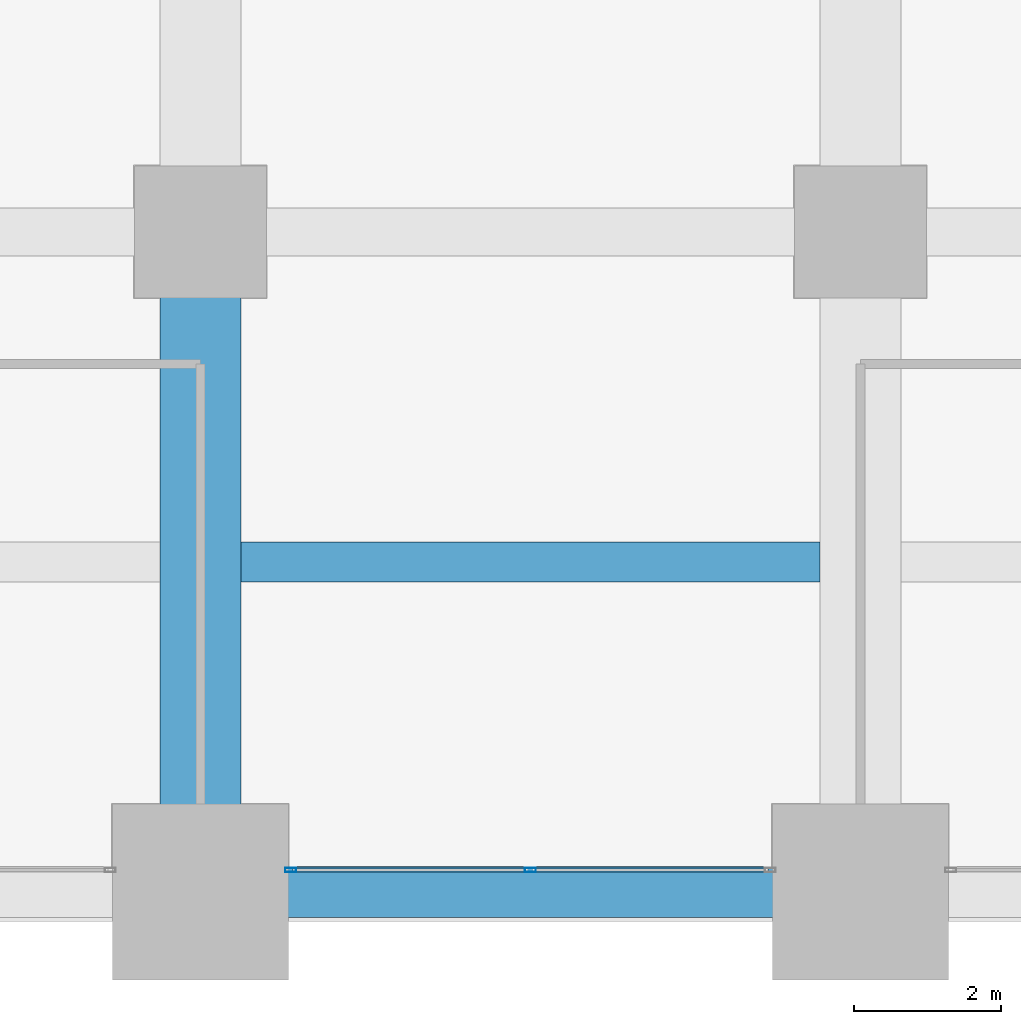
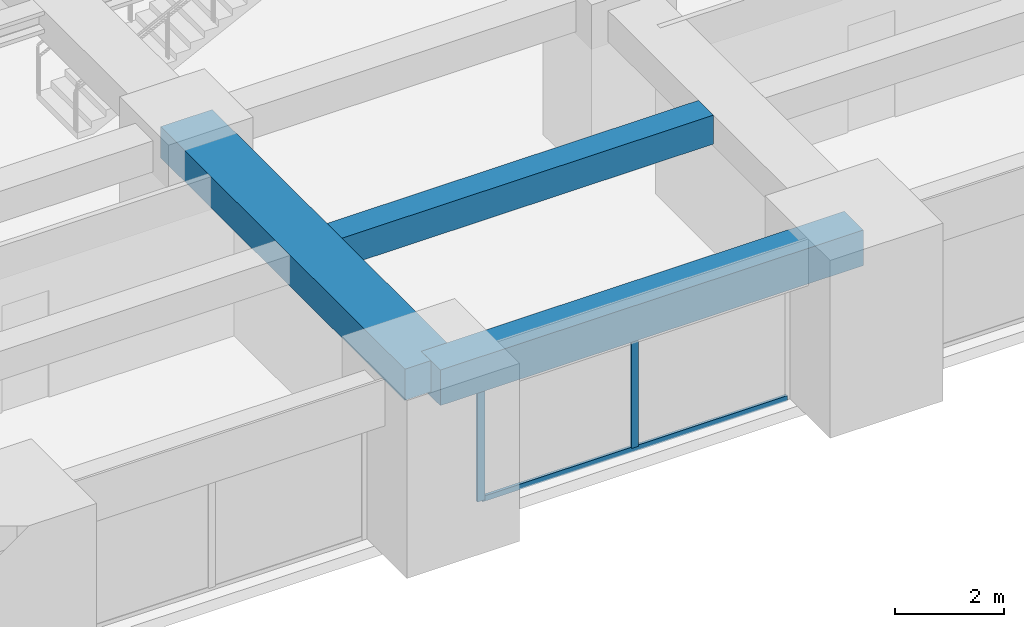
# One storey, part 7 of 41: 3 beams, 3 members, 1 element without a shape of its own.
"""IFC4 building model written with IfcOpenShell, lengths in metres."""

from ifc_helpers import new_model, si_unit, direction, frame, origin, origin_2d, place, context, subcontext, project, spatial, rectangle, hollow_rectangle, extrude, material, material_profile, profile_set, type_object, element, aggregate, save


model = new_model("IFC4")

# Units and contexts
model_context = context("Model", 3, precision=1e-05, world=origin(), true_north=direction((0.0, 1.0)))
body_context = subcontext(model_context, "Body", "Model", "MODEL_VIEW")
ifc_project = project(units=[si_unit("LENGTHUNIT", "METRE"), si_unit("AREAUNIT", "SQUARE_METRE"), si_unit("VOLUMEUNIT", "CUBIC_METRE"), si_unit("PLANEANGLEUNIT", "RADIAN"), si_unit("MASSUNIT", "GRAM", prefix="KILO")], contexts=[model_context])

# Site, building, storey
site_placement = place(None, origin())
site = spatial("IfcSite", under=ifc_project, at=site_placement, CompositionType="ELEMENT")
building_placement = place(site_placement, origin())
building = spatial("IfcBuilding", under=site, at=building_placement, Name="Zorevar Civic Tower", CompositionType="ELEMENT")
storey_placement = place(building_placement, frame((0.0, 0.0, 137.0)))
storey = spatial("IfcBuildingStorey", under=building, at=storey_placement, Name="L33", CompositionType="ELEMENT", Elevation=137.0)

# Beams
ifc_material_1 = material(Name="Concrete C50/60", Category="concrete")
ifc_material_profile_1 = material_profile(ifc_material_1, rectangle(XDim=1.10009765625, YDim=0.699951171875, at=origin_2d()), Name="RC 1100x700")
ifc_profile_set_1 = profile_set([ifc_material_profile_1], Name="Concrete C50/60")
beam_type_1 = type_object("IfcBeamType", Name="Beam RC 1100x700", PredefinedType="BEAM", material=ifc_profile_set_1)
beam_1_placement = place(storey_placement, frame((27.0, 0.0, 3.39990234375), z_axis=(0.0, 1.0, 0.0), x_axis=(-1.0, 0.0, 0.0)))
element("IfcBeam", 1, at=beam_1_placement, inside=storey, type_object=beam_type_1, Name="Girder L34", PredefinedType="BEAM", context=body_context, shape_type="SweptSolid", body=[
    extrude(rectangle(XDim=1.10009765625, YDim=0.699951171875, at=origin_2d()), origin(), (0.0, 0.0, 1.0), 9.0),
])
ifc_material_2 = material(Name="Concrete C50/60", Category="concrete")
ifc_material_profile_2 = material_profile(ifc_material_2, rectangle(XDim=0.550048828125, YDim=0.64990234375, at=origin_2d()), Name="RC 550x650")
ifc_profile_set_2 = profile_set([ifc_material_profile_2], Name="Concrete C50/60")
beam_type_2 = type_object("IfcBeamType", Name="Beam RC 550x650", PredefinedType="BEAM", material=ifc_profile_set_2)
beam_2_placement = place(storey_placement, frame((27.550048828125, 4.5, 3.425048828125), z_axis=(1.0, 0.0, 0.0), x_axis=(0.0, 1.0, 0.0)))
element("IfcBeam", 2, at=beam_2_placement, inside=storey, type_object=beam_type_2, Name="Secondary beam L34", PredefinedType="BEAM", context=body_context, shape_type="SweptSolid", body=[
    extrude(rectangle(XDim=0.550048828125, YDim=0.64990234375, at=origin_2d()), origin(), (0.0, 0.0, 1.0), 7.89990234375),
])

# Curtain wall, members
ifc_material_3 = material(Name="Dark grey solar-control glass in black aluminium frame", Category="aluminium")
curtain_wall_type = type_object("IfcCurtainWallType", Name="Curtain wall CW3 mid zone", PredefinedType="NOTDEFINED", material=ifc_material_3)
curtain_wall_placement = place(storey_placement, origin())
curtain_wall = element("IfcCurtainWall", 3, at=curtain_wall_placement, inside=storey, type_object=curtain_wall_type, Name="CW3 L33", PredefinedType="NOTDEFINED")
ifc_material_4 = material(Name="Aluminium, black anodised", Category="aluminium")
ifc_material_profile_3 = material_profile(ifc_material_4, hollow_rectangle(XDim=0.06005859375, YDim=0.14990234375, WallThickness=0.00390625, at=origin_2d()), Name="AL 150x60x4")
ifc_profile_set_3 = profile_set([ifc_material_profile_3], Name="Aluminium, black anodised")
member_type_1 = type_object("IfcMemberType", Name="CW3 mullion AL 150x60x4", PredefinedType="MULLION", material=ifc_profile_set_3)
member_1_placement = place(storey_placement, frame((28.22998046875, 0.300048828125, 0.0), z_axis=(0.0, 0.0, 1.0), x_axis=(0.0, 1.0, 0.0)))
member_1 = element("IfcMember", 4, at=member_1_placement, type_object=member_type_1, Name="CW3 mullion 1", PredefinedType="MULLION", context=body_context, shape_type="SweptSolid", body=[
    extrude(hollow_rectangle(XDim=0.06005859375, YDim=0.14990234375, WallThickness=0.00390625, at=origin_2d()), origin(), (0.0, 0.0, 1.0), 2.949951171875),
])
member_2_placement = place(storey_placement, frame((31.5, 0.300048828125, 0.06005859375), z_axis=(0.0, 0.0, 1.0), x_axis=(0.0, 1.0, 0.0)))
member_2 = element("IfcMember", 5, at=member_2_placement, type_object=member_type_1, Name="CW3 mullion 2", PredefinedType="MULLION", context=body_context, shape_type="SweptSolid", body=[
    extrude(hollow_rectangle(XDim=0.06005859375, YDim=0.14990234375, WallThickness=0.00390625, at=origin_2d()), origin(), (0.0, 0.0, 1.0), 2.889892578125),
])
ifc_material_5 = material(Name="Aluminium, black anodised", Category="aluminium")
ifc_material_profile_4 = material_profile(ifc_material_5, hollow_rectangle(XDim=0.06005859375, YDim=0.1201171875, WallThickness=0.0029296875, at=origin_2d()), Name="AL 120x60x3")
ifc_profile_set_4 = profile_set([ifc_material_profile_4], Name="Aluminium, black anodised")
member_type_2 = type_object("IfcMemberType", Name="CW3 transom AL 120x60x3", PredefinedType="USERDEFINED", material=ifc_profile_set_4)
member_3_placement = place(storey_placement, frame((28.260009765625, 0.300048828125, 0.030029296875), z_axis=(1.0, 0.0, 0.0), x_axis=(0.0, 1.0, 0.0)))
member_3 = element("IfcMember", 6, at=member_3_placement, type_object=member_type_2, Name="CW3 sill transom", ObjectType="TRANSOM", PredefinedType="USERDEFINED", context=body_context, shape_type="SweptSolid", body=[
    extrude(hollow_rectangle(XDim=0.06005859375, YDim=0.1201171875, WallThickness=0.0029296875, at=origin_2d()), origin(), (0.0, 0.0, 1.0), 6.47998046875),
])
aggregate(curtain_wall, [member_1, member_2, member_3])

# Beam
ifc_material_6 = material(Name="Concrete C50/60", Category="concrete")
ifc_material_profile_5 = material_profile(ifc_material_6, rectangle(XDim=0.699951171875, YDim=0.800048828125, at=origin_2d()), Name="RC 700x800")
ifc_profile_set_5 = profile_set([ifc_material_profile_5], Name="Concrete C50/60")
beam_type_3 = type_object("IfcBeamType", Name="Edge beam RC 700x800", PredefinedType="SPANDREL", material=ifc_profile_set_5)
beam_3_placement = place(storey_placement, frame((27.0, 0.0, 3.35009765625), z_axis=(1.0, 0.0, 0.0), x_axis=(0.0, 1.0, 0.0)))
element("IfcBeam", 7, at=beam_3_placement, inside=storey, type_object=beam_type_3, Name="Edge beam L34", PredefinedType="SPANDREL", context=body_context, shape_type="SweptSolid", body=[
    extrude(rectangle(XDim=0.699951171875, YDim=0.800048828125, at=origin_2d()), origin(), (0.0, 0.0, 1.0), 9.0),
])

save(model, "model.ifc")
